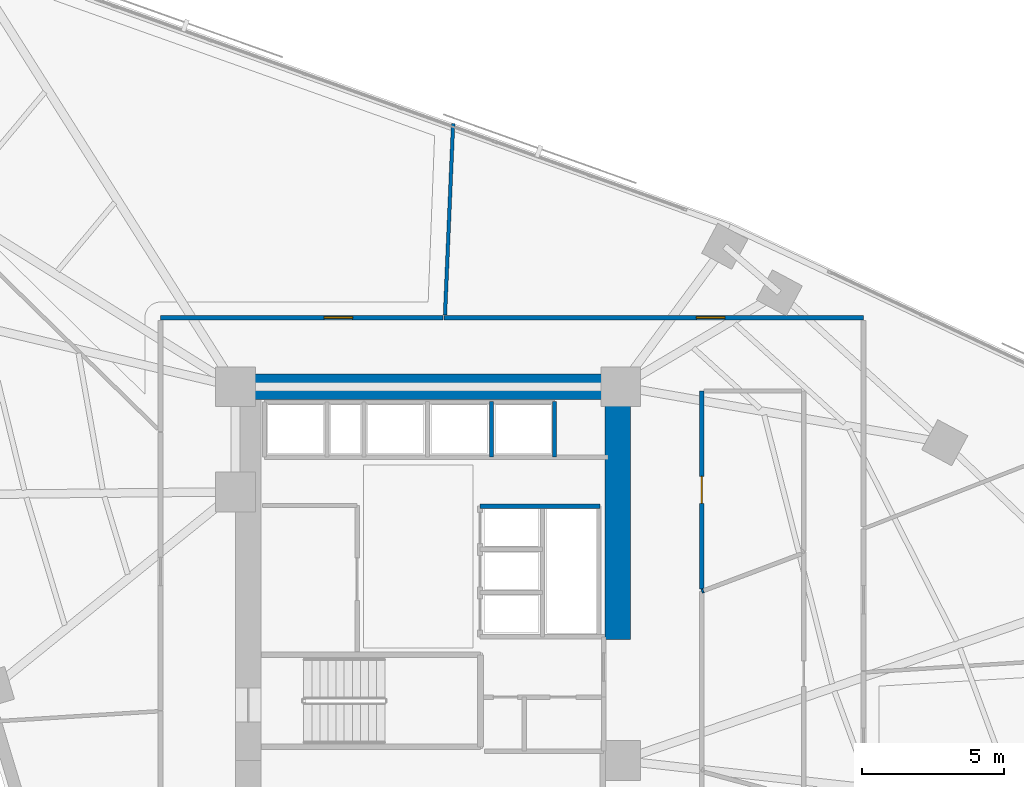
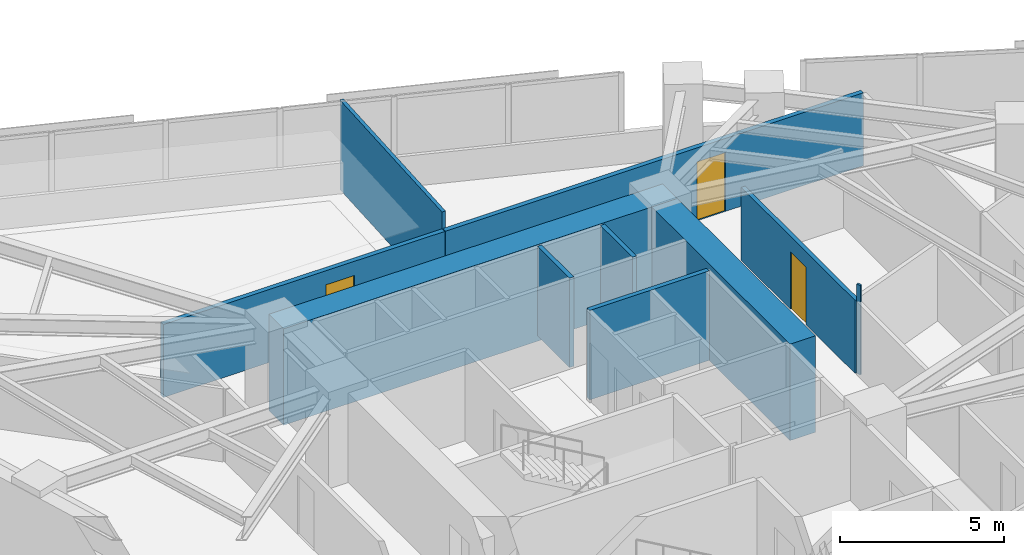
# One storey, part 12 of 17: 10 walls, 3 doors, 3 openings.
"""IFC4 building model written with IfcOpenShell, lengths in metres."""

from ifc_helpers import new_model, si_unit, direction, frame, frame_2d, origin, place, context, subcontext, project, spatial, rectangle, extrude, material, layer, layer_set, type_object, element, fill, save


model = new_model("IFC4")

# Units and contexts
model_context = context("Model", 3, precision=1e-05, world=origin(), true_north=direction((0.0, 1.0)))
body_context = subcontext(model_context, "Body", "Model", "MODEL_VIEW")
ifc_project = project(units=[si_unit("LENGTHUNIT", "METRE"), si_unit("AREAUNIT", "SQUARE_METRE"), si_unit("VOLUMEUNIT", "CUBIC_METRE"), si_unit("PLANEANGLEUNIT", "RADIAN"), si_unit("MASSUNIT", "GRAM", prefix="KILO")], contexts=[model_context])

# Site, building, storey
site_placement = place(None, origin())
site = spatial("IfcSite", under=ifc_project, at=site_placement, CompositionType="ELEMENT")
building_placement = place(site_placement, origin())
building = spatial("IfcBuilding", under=site, at=building_placement, Name="Narakoshi Arena Tower", CompositionType="ELEMENT")
storey_placement = place(building_placement, frame((0.0, 0.0, 139.5)))
storey = spatial("IfcBuildingStorey", under=building, at=storey_placement, Name="L37", CompositionType="ELEMENT", Elevation=139.5)

# Walls
ifc_material_1 = material(Name="Concrete C60/75", Category="concrete")
ifc_layer_1 = layer(ifc_material_1, 0.89990234375)
ifc_layer_set_1 = layer_set([ifc_layer_1], Name="Concrete C60/75")
wall_type_1 = type_object("IfcWallType", Name="WL-CORE-900", PredefinedType="SHEAR", material=ifc_layer_set_1)
wall_1_placement = place(storey_placement, frame((72.0, 56.5, -0.260009765625), z_axis=(0.0, 0.0, 1.0), x_axis=(1.0, 0.0, 0.0)))
element("IfcWall", 1, at=wall_1_placement, inside=storey, type_object=wall_type_1, Name="L37 Main Core Shear Wall CW-MN-N", PredefinedType="SHEAR", context=body_context, shape_type="SweptSolid", body=[
    extrude(rectangle(XDim=13.89990234375, YDim=0.89990234375, at=frame_2d((6.949951171875, 0.0))), origin(), (0.0, 0.0, 1.0), 3.60009765625),
])
wall_2_placement = place(storey_placement, frame((85.449951171875, 47.60009765625, -0.260009765625), z_axis=(0.0, 0.0, 1.0), x_axis=(0.0, 1.0, 0.0)))
element("IfcWall", 2, at=wall_2_placement, inside=storey, type_object=wall_type_1, Name="L37 Main Core Shear Wall CW-MN-E", PredefinedType="SHEAR", context=body_context, shape_type="SweptSolid", body=[
    extrude(rectangle(XDim=8.449951171875, YDim=0.89990234375, at=frame_2d((4.22509765625, 0.0))), origin(), (0.0, 0.0, 1.0), 3.60009765625),
])

# Wall, opening, door
ifc_material_2 = material(Name="Gypsum plasterboard fire-rated partition")
ifc_layer_2 = layer(ifc_material_2, 0.1650390625)
ifc_layer_set_2 = layer_set([ifc_layer_2], Name="Gypsum plasterboard fire-rated partition")
wall_type_2 = type_object("IfcWallType", Name="WL-CORR-165", PredefinedType="PARTITIONING", material=ifc_layer_set_2)
wall_3_placement = place(storey_placement, frame((94.0849609375, 58.927978515625, 0.0), z_axis=(0.0, 0.0, 1.0), x_axis=(-1.0, 0.0, 0.0)))
wall_3 = element("IfcWall", 3, at=wall_3_placement, inside=storey, type_object=wall_type_2, Name="L37 Corridor Partition 07-1", PredefinedType="PARTITIONING", context=body_context, shape_type="SweptSolid", body=[
    extrude(rectangle(XDim=14.755859375, YDim=0.1650390625, at=frame_2d((7.3779296875, 0.0))), origin(), (0.0, 0.0, 1.0), 2.72509765625),
])
opening_1_placement = place(wall_3_placement, frame((4.87451171875, 0.0, 0.0)))
opening_1 = element("IfcOpeningElement", 4, at=opening_1_placement, cuts=wall_3, Name="Opening D-06", PredefinedType="OPENING", context=body_context, shape_type="SweptSolid", body=[
    extrude(rectangle(XDim=1.0, YDim=2.199951171875, at=frame_2d((0.5, 1.10009765625))), frame((0.0, 0.092529296875, 0.0), z_axis=(0.0, -1.0, 0.0), x_axis=(1.0, 0.0, 0.0)), (0.0, 0.0, 1.0), 0.18505859375),
])
ifc_material_3 = material(Name="Stained oak solid-core timber", Category="wood")
door_type_1 = type_object("IfcDoorType", Name="DR-OFF-1000", OperationType="NOTDEFINED", PredefinedType="DOOR", material=ifc_material_3)
door_1_placement = place(opening_1_placement, frame((1.0, 0.0, 0.0), z_axis=(0.0, 0.0, 1.0), x_axis=(-1.0, 0.0, 0.0)))
door_1 = element("IfcDoor", 5, at=door_1_placement, inside=storey, type_object=door_type_1, Name="DR-L37-020", OperationType="SINGLE_SWING_LEFT", OverallHeight=2.199951171875, OverallWidth=1.0, PredefinedType="DOOR", context=body_context, shape_type="SweptSolid", body=[
    extrude(rectangle(XDim=1.0, YDim=2.199951171875, at=frame_2d((0.5, 1.10009765625))), frame((0.0, 0.02490234375, 0.0), z_axis=(0.0, -1.0, 0.0), x_axis=(1.0, 0.0, 0.0)), (0.0, 0.0, 1.0), 0.050048828125),
])
fill(opening_1, door_1)

wall_4_placement = place(storey_placement, frame((79.304931640625, 58.927978515625, 0.0), z_axis=(0.0, 0.0, 1.0), x_axis=(-1.0, 0.0, 0.0)))
wall_4 = element("IfcWall", 6, at=wall_4_placement, inside=storey, type_object=wall_type_2, Name="L37 Corridor Partition 08-1", PredefinedType="PARTITIONING", context=body_context, shape_type="SweptSolid", body=[
    extrude(rectangle(XDim=9.93994140625, YDim=0.1650390625, at=frame_2d((4.969970703125, 0.0))), origin(), (0.0, 0.0, 1.0), 2.72509765625),
])
opening_2_placement = place(wall_4_placement, frame((3.18896484375, 0.0, 0.0)))
opening_2 = element("IfcOpeningElement", 7, at=opening_2_placement, cuts=wall_4, Name="Opening D-06", PredefinedType="OPENING", context=body_context, shape_type="SweptSolid", body=[
    extrude(rectangle(XDim=1.0, YDim=2.199951171875, at=frame_2d((0.5, 1.10009765625))), frame((0.0, 0.092529296875, 0.0), z_axis=(0.0, -1.0, 0.0), x_axis=(1.0, 0.0, 0.0)), (0.0, 0.0, 1.0), 0.18505859375),
])
door_2_placement = place(opening_2_placement, frame((1.0, 0.0, 0.0), z_axis=(0.0, 0.0, 1.0), x_axis=(-1.0, 0.0, 0.0)))
door_2 = element("IfcDoor", 8, at=door_2_placement, inside=storey, type_object=door_type_1, Name="DR-L37-021", OperationType="SINGLE_SWING_RIGHT", OverallHeight=2.199951171875, OverallWidth=1.0, PredefinedType="DOOR", context=body_context, shape_type="SweptSolid", body=[
    extrude(rectangle(XDim=1.0, YDim=2.199951171875, at=frame_2d((0.5, 1.10009765625))), frame((0.0, 0.02490234375, 0.0), z_axis=(0.0, -1.0, 0.0), x_axis=(1.0, 0.0, 0.0)), (0.0, 0.0, 1.0), 0.050048828125),
])
fill(opening_2, door_2)

# Walls
ifc_layer_3 = layer(ifc_material_2, 0.125)
ifc_layer_set_3 = layer_set([ifc_layer_3], Name="Gypsum plasterboard fire-rated partition")
wall_type_3 = type_object("IfcWallType", Name="WL-PART-125", PredefinedType="PARTITIONING", material=ifc_layer_set_3)
wall_5_placement = place(storey_placement, frame((79.368896484375, 59.0224609375, 0.0), z_axis=(0.0, 0.0, 1.0), x_axis=(0.042284055913, 0.999105629358, 0.0)))
element("IfcWall", 9, at=wall_5_placement, inside=storey, type_object=wall_type_3, Name="L37 Inter-Room Partition 07-08", PredefinedType="PARTITIONING", context=body_context, shape_type="SweptSolid", body=[
    extrude(rectangle(XDim=6.743896484375, YDim=0.125, at=frame_2d((3.3720703125, 0.0))), origin(), (0.0, 0.0, 1.0), 3.340087890625),
])
ifc_material_4 = material(Name="Concrete C40/50", Category="concrete")
ifc_layer_4 = layer(ifc_material_4, 0.280029296875)
ifc_layer_set_4 = layer_set([ifc_layer_4], Name="Concrete C40/50")
wall_type_4 = type_object("IfcWallType", Name="WL-RISER-280", PredefinedType="PLUMBINGWALL", material=ifc_layer_set_4)
wall_6_placement = place(storey_placement, frame((81.0, 54.02001953125, 0.0), z_axis=(0.0, 0.0, 1.0), x_axis=(0.0, 1.0, 0.0)))
element("IfcWall", 10, at=wall_6_placement, inside=storey, type_object=wall_type_4, Name="L37 Core Wall HR-D2", PredefinedType="PLUMBINGWALL", context=body_context, shape_type="SweptSolid", body=[
    extrude(rectangle(XDim=1.9599609375, YDim=0.14990234375, at=frame_2d((0.97998046875, 0.0))), origin(), (0.0, 0.0, 1.0), 3.340087890625),
])
ifc_material_5 = material(Name="Concrete C50/60", Category="concrete")
ifc_layer_5 = layer(ifc_material_5, 0.35009765625)
ifc_layer_set_5 = layer_set([ifc_layer_5], Name="Concrete C50/60")
wall_type_5 = type_object("IfcWallType", Name="WL-SHAFT-350", PredefinedType="SOLIDWALL", material=ifc_layer_set_5)
wall_7_placement = place(storey_placement, frame((80.60009765625, 52.300048828125, 0.0), z_axis=(0.0, 0.0, 1.0), x_axis=(1.0, 0.0, 0.0)))
element("IfcWall", 11, at=wall_7_placement, inside=storey, type_object=wall_type_5, Name="L37 Core Wall MR-N", PredefinedType="SOLIDWALL", context=body_context, shape_type="SweptSolid", body=[
    extrude(rectangle(XDim=4.219970703125, YDim=0.159912109375, at=frame_2d((2.10986328125, 0.0))), origin(), (0.0, 0.0, 1.0), 3.340087890625),
])
wall_8_placement = place(storey_placement, frame((83.219970703125, 54.02001953125, 0.0), z_axis=(0.0, 0.0, 1.0), x_axis=(0.0, 1.0, 0.0)))
element("IfcWall", 12, at=wall_8_placement, inside=storey, type_object=wall_type_5, Name="L37 Core Wall HR-E", PredefinedType="SOLIDWALL", context=body_context, shape_type="SweptSolid", body=[
    extrude(rectangle(XDim=1.9599609375, YDim=0.14990234375, at=frame_2d((0.97998046875, 0.0))), origin(), (0.0, 0.0, 1.0), 3.340087890625),
])
ifc_material_6 = material(Name="Moisture-resistant cement-board partition")
ifc_layer_6 = layer(ifc_material_6, 0.14501953125)
ifc_layer_set_6 = layer_set([ifc_layer_6], Name="Moisture-resistant cement-board partition")
wall_type_6 = type_object("IfcWallType", Name="WL-WET-145", PredefinedType="PARTITIONING", material=ifc_layer_set_6)
wall_9_placement = place(storey_placement, frame((88.39990234375, 49.301025390625, 0.0), z_axis=(0.0, 0.0, 1.0), x_axis=(0.932856069012, 0.360249294944, 0.0)))
element("IfcWall", 13, at=wall_9_placement, inside=storey, type_object=wall_type_6, Name="L37 Corridor Partition 05-3", PredefinedType="PARTITIONING", context=body_context, shape_type="SweptSolid", body=[
    extrude(rectangle(XDim=0.064453125, YDim=0.14501953125, at=frame_2d((0.0322265625, 0.0))), origin(), (0.0, 0.0, 1.0), 3.340087890625),
])

# Wall, opening, door
wall_10_placement = place(storey_placement, frame((88.39990234375, 49.3916015625, 0.0), z_axis=(0.0, 0.0, 1.0), x_axis=(0.0, 1.0, 0.0)))
wall_10 = element("IfcWall", 14, at=wall_10_placement, inside=storey, type_object=wall_type_6, Name="L37 Corridor Partition 06-1", PredefinedType="PARTITIONING", context=body_context, shape_type="SweptSolid", body=[
    extrude(rectangle(XDim=6.95849609375, YDim=0.14501953125, at=frame_2d((3.479248046875, 0.0))), origin(), (0.0, 0.0, 1.0), 2.72509765625),
])
opening_3_placement = place(wall_10_placement, frame((3.004150390625, 0.0, 0.0)))
opening_3 = element("IfcOpeningElement", 15, at=opening_3_placement, cuts=wall_10, Name="Opening D-07", PredefinedType="OPENING", context=body_context, shape_type="SweptSolid", body=[
    extrude(rectangle(XDim=0.949951171875, YDim=2.14990234375, at=frame_2d((0.47509765625, 1.074951171875))), frame((0.0, 0.08251953125, 0.0), z_axis=(0.0, -1.0, 0.0), x_axis=(1.0, 0.0, 0.0)), (0.0, 0.0, 1.0), 0.1650390625),
])
door_type_2 = type_object("IfcDoorType", Name="DR-ACC-950", OperationType="NOTDEFINED", PredefinedType="DOOR", material=ifc_material_3)
door_3_placement = place(opening_3_placement, frame((0.949951171875, 0.0, 0.0), z_axis=(0.0, 0.0, 1.0), x_axis=(-1.0, 0.0, 0.0)))
door_3 = element("IfcDoor", 16, at=door_3_placement, inside=storey, type_object=door_type_2, Name="DR-L37-019", OperationType="SINGLE_SWING_RIGHT", OverallHeight=2.14990234375, OverallWidth=0.949951171875, PredefinedType="DOOR", context=body_context, shape_type="SweptSolid", body=[
    extrude(rectangle(XDim=0.949951171875, YDim=2.14990234375, at=frame_2d((0.47509765625, 1.074951171875))), frame((0.0, 0.02490234375, 0.0), z_axis=(0.0, -1.0, 0.0), x_axis=(1.0, 0.0, 0.0)), (0.0, 0.0, 1.0), 0.050048828125),
])
fill(opening_3, door_3)

save(model, "model.ifc")
